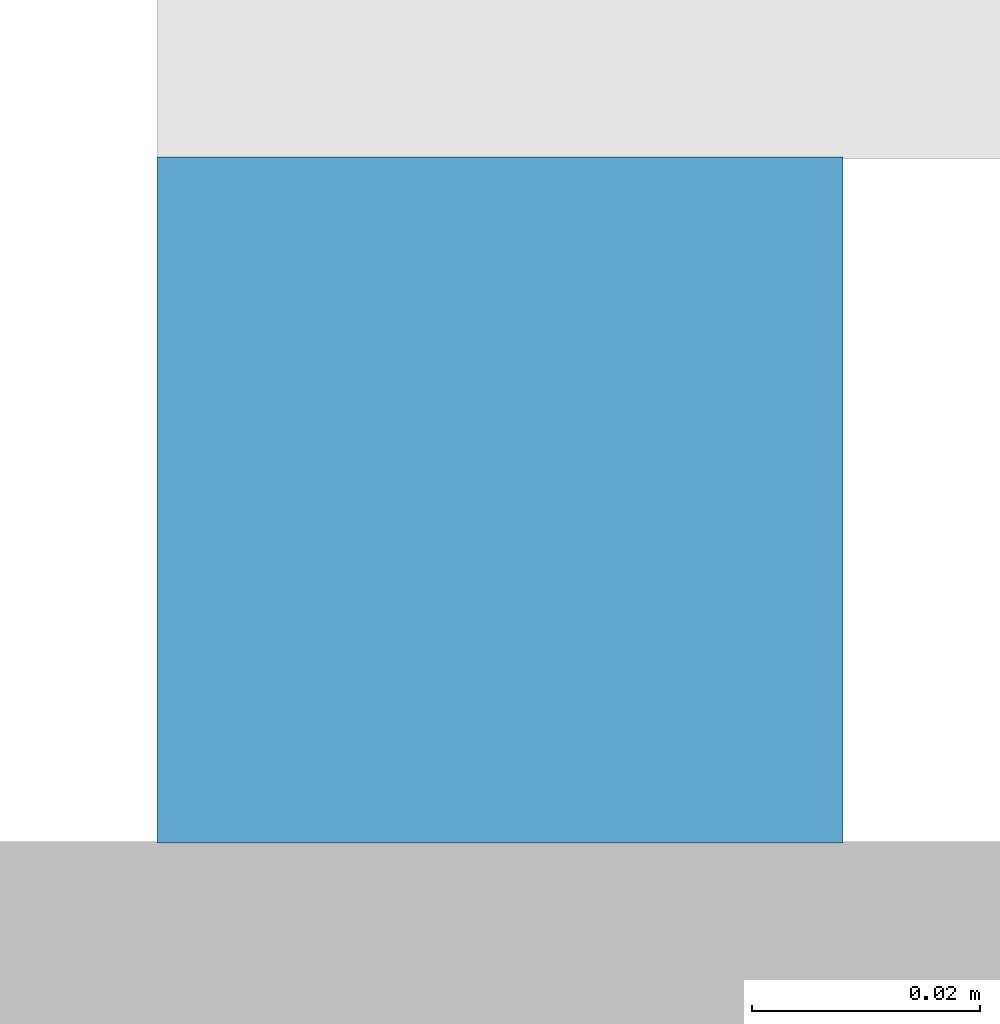
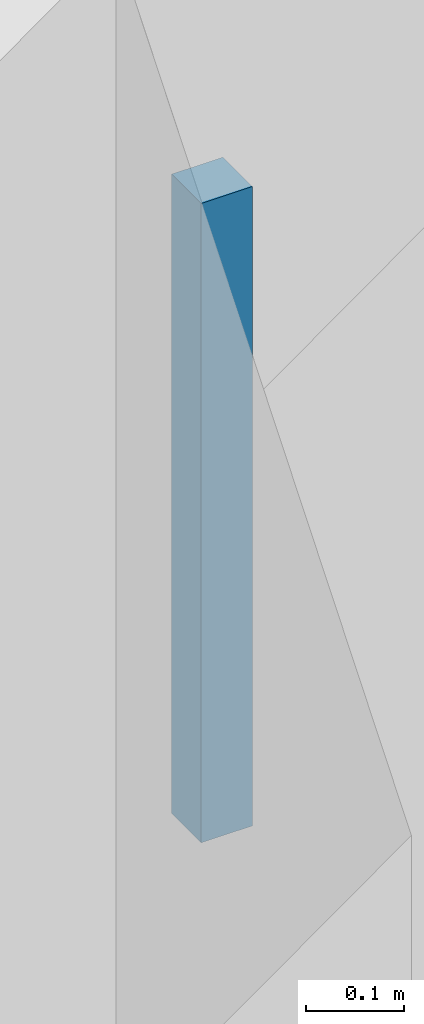
# One storey, part 28 of 45: 1 discrete accessory.
"""IFC4 building model written with IfcOpenShell, lengths in metres."""

from ifc_helpers import new_model, si_unit, direction, frame, origin, origin_2d, place, context, subcontext, project, spatial, rectangle, extrude, material, type_object, element, save


model = new_model("IFC4")

# Units and contexts
model_context = context("Model", 3, precision=1e-05, world=origin(), true_north=direction((0.0, 1.0)))
body_context = subcontext(model_context, "Body", "Model", "MODEL_VIEW")
ifc_project = project(units=[si_unit("LENGTHUNIT", "METRE"), si_unit("AREAUNIT", "SQUARE_METRE"), si_unit("VOLUMEUNIT", "CUBIC_METRE"), si_unit("PLANEANGLEUNIT", "RADIAN"), si_unit("MASSUNIT", "GRAM", prefix="KILO")], contexts=[model_context])

# Site, building, storey
site_placement = place(None, origin())
site = spatial("IfcSite", under=ifc_project, at=site_placement, CompositionType="ELEMENT")
building_placement = place(site_placement, origin())
building = spatial("IfcBuilding", under=site, at=building_placement, Name="Nakaniwa Court", CompositionType="ELEMENT")
storey_placement = place(building_placement, frame((0.0, 0.0, 11.39990234375)))
storey = spatial("IfcBuildingStorey", under=building, at=storey_placement, Name="L02", CompositionType="ELEMENT", Elevation=11.39990234375)

# Discrete accessory
ifc_material = material(Name="Black powder-coated steel bracket S275", Category="steel")
discrete_accessory_type = type_object("IfcDiscreteAccessoryType", Name="Hall black metal louvre bracket", PredefinedType="BRACKET", material=ifc_material)
discrete_accessory_placement = place(storey_placement, frame((170.429931640625, 104.030029296875, 2.82861328125), z_axis=(0.0, 0.0, 1.0), x_axis=(1.0, 0.0, 0.0)))
element("IfcDiscreteAccessory", 1, at=discrete_accessory_placement, inside=storey, type_object=discrete_accessory_type, Name="Louvre bracket L02 013.1", PredefinedType="BRACKET", context=body_context, shape_type="SweptSolid", body=[
    extrude(rectangle(XDim=0.06005859375, YDim=0.06005859375, at=origin_2d()), origin(), (0.0, 0.0, 1.0), 0.793212890625),
])

save(model, "model.ifc")
